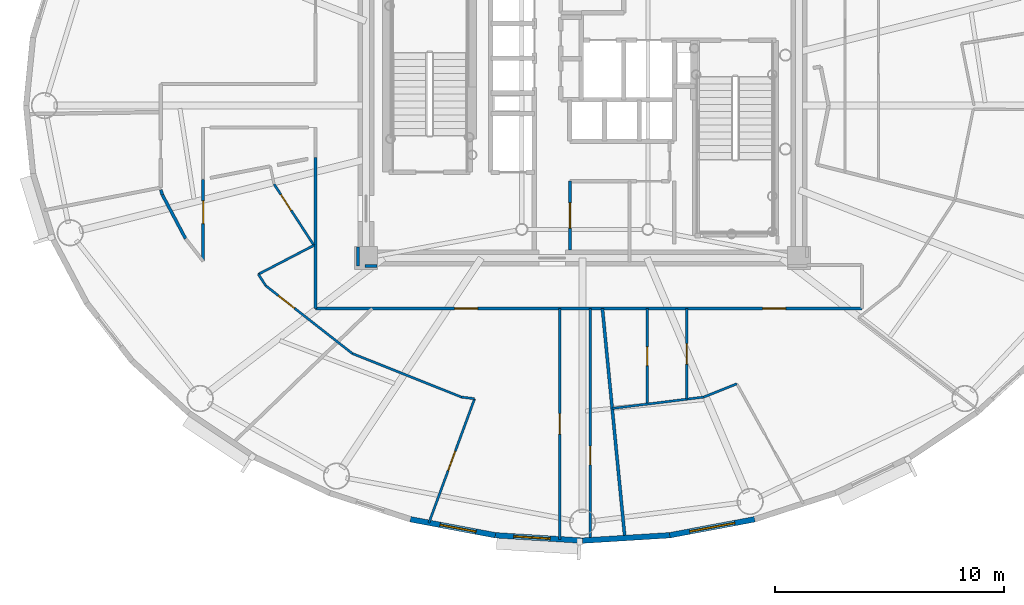
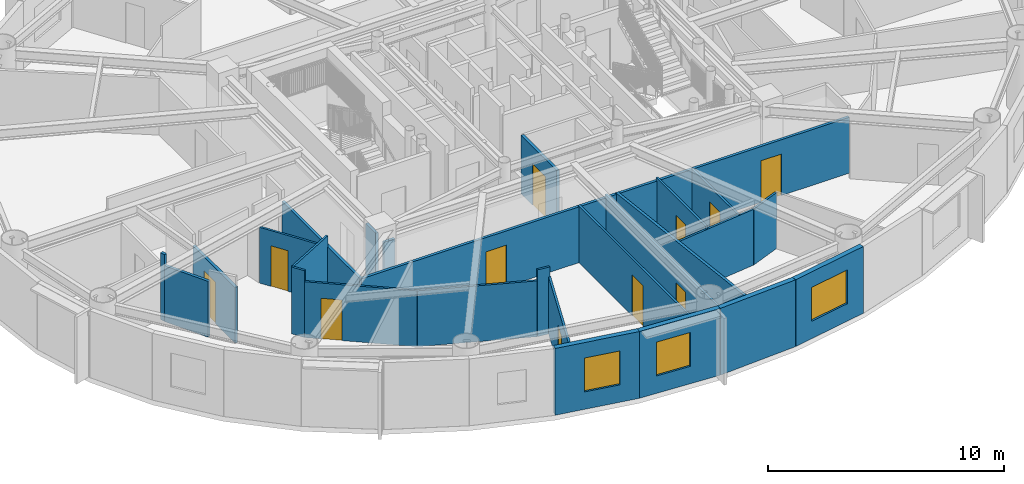
# One storey, part 7 of 18: 26 walls, 11 doors, 3 windows, 14 openings.
"""IFC4 building model written with IfcOpenShell, lengths in metres."""

from ifc_helpers import new_model, si_unit, direction, frame, frame_2d, origin, origin_2d, place, context, subcontext, project, spatial, rectangle, extrude, source, transform, mapped, material, layer, layer_set, type_object, element, fill, save


model = new_model("IFC4")

# Units and contexts
model_context = context("Model", 3, precision=1e-05, world=origin(), true_north=direction((0.0, 1.0)))
body_context = subcontext(model_context, "Body", "Model", "MODEL_VIEW")
ifc_project = project(units=[si_unit("LENGTHUNIT", "METRE"), si_unit("AREAUNIT", "SQUARE_METRE"), si_unit("VOLUMEUNIT", "CUBIC_METRE"), si_unit("PLANEANGLEUNIT", "RADIAN"), si_unit("MASSUNIT", "GRAM", prefix="KILO")], contexts=[model_context])

# Site, building, storey
site_placement = place(None, origin())
site = spatial("IfcSite", under=ifc_project, at=site_placement, CompositionType="ELEMENT")
building_placement = place(site_placement, origin())
building = spatial("IfcBuilding", under=site, at=building_placement, Name="Linh Dai School and Residence Tower", CompositionType="ELEMENT")
storey_placement = place(building_placement, frame((0.0, 0.0, 259.050048828125)))
storey = spatial("IfcBuildingStorey", under=building, at=storey_placement, Name="L64", CompositionType="ELEMENT", Elevation=259.050048828125)

# Wall, opening, window
ifc_material_1 = material(Name="Precast Concrete B45 (C35/45)", Category="concrete")
ifc_layer_1 = layer(ifc_material_1, 0.239990234375)
ifc_layer_set_1 = layer_set([ifc_layer_1], Name="Precast Concrete B45 (C35/45)")
wall_type_1 = type_object("IfcWallType", Name="EW-TC-240", PredefinedType="SOLIDWALL", material=ifc_layer_set_1)
wall_1_placement = place(storey_placement, frame((32.198486328125, 8.254150390625, 0.0), z_axis=(0.0, 0.0, 1.0), x_axis=(-0.982784898575, 0.184753465822, 0.0)))
wall_1 = element("IfcWall", 1, at=wall_1_placement, inside=storey, type_object=wall_type_1, Name="L64 Terracotta Exterior Wall 29", PredefinedType="SOLIDWALL", context=body_context, shape_type="SweptSolid", body=[
    extrude(rectangle(XDim=3.772705078125, YDim=0.239990234375, at=frame_2d((1.88623046875, 0.0))), origin(), (0.0, 0.0, 1.0), 3.449951171875),
])
opening_1_placement = place(wall_1_placement, frame((0.85888671875, 0.0, 0.89990234375)))
opening_1 = element("IfcOpeningElement", 2, at=opening_1_placement, cuts=wall_1, Name="Opening W2", PredefinedType="OPENING", context=body_context, shape_type="SweptSolid", body=[
    extrude(rectangle(XDim=1.60009765625, YDim=1.75, at=origin_2d()), frame((0.800048828125, 0.1298828125, 0.875), z_axis=(0.0, -1.0, 0.0), x_axis=(1.0, 0.0, 0.0)), (0.0, 0.0, 1.0), 0.260009765625),
])
ifc_material_2 = material(Name="Double Low-E Insulated Glazing", Category="glass")
window_type_1 = type_object("IfcWindowType", Name="WN-RES-1600x1750", PartitioningType="DOUBLE_PANEL_VERTICAL", PredefinedType="WINDOW", material=ifc_material_2)
shared_shape_1 = source(origin(), body_context, "Body", "SweptSolid", [
    extrude(rectangle(XDim=1.60009765625, YDim=1.75, at=origin_2d()), frame((0.800048828125, 0.030029296875, 0.875), z_axis=(0.0, -1.0, 0.0), x_axis=(1.0, 0.0, 0.0)), (0.0, 0.0, 1.0), 0.06005859375),
])
window_1_placement = place(opening_1_placement, origin())
window_1 = element("IfcWindow", 3, at=window_1_placement, inside=storey, type_object=window_type_1, Name="L64 Exterior Window 29.1", OverallHeight=1.75, OverallWidth=1.60009765625, PartitioningType="DOUBLE_PANEL_VERTICAL", PredefinedType="WINDOW", context=body_context, shape_type="MappedRepresentation", body=[
    mapped(shared_shape_1, transform((0.0, 0.0, 0.0), x_axis=(1.0, 0.0, 0.0), y_axis=(0.0, 1.0, 0.0), z_axis=(0.0, 0.0, 1.0), scale=1.0)),
])
fill(opening_1, window_1)

wall_2_placement = place(storey_placement, frame((36.0, 8.02001953125, 0.0), z_axis=(0.0, 0.0, 1.0), x_axis=(-0.998108785312, 0.06147237333, 0.0)))
wall_2 = element("IfcWall", 4, at=wall_2_placement, inside=storey, type_object=wall_type_1, Name="L64 Terracotta Exterior Wall 30", PredefinedType="SOLIDWALL", context=body_context, shape_type="SweptSolid", body=[
    extrude(rectangle(XDim=3.808837890625, YDim=0.239990234375, at=frame_2d((1.904296875, 0.0))), origin(), (0.0, 0.0, 1.0), 3.449951171875),
])
opening_2_placement = place(wall_2_placement, frame((1.41015625, 0.0, 0.89990234375)))
opening_2 = element("IfcOpeningElement", 5, at=opening_2_placement, cuts=wall_2, Name="Opening W2", PredefinedType="OPENING", context=body_context, shape_type="SweptSolid", body=[
    extrude(rectangle(XDim=1.60009765625, YDim=1.75, at=origin_2d()), frame((0.800048828125, 0.1298828125, 0.875), z_axis=(0.0, -1.0, 0.0), x_axis=(1.0, 0.0, 0.0)), (0.0, 0.0, 1.0), 0.260009765625),
])
window_2_placement = place(opening_2_placement, origin())
window_2 = element("IfcWindow", 6, at=window_2_placement, inside=storey, type_object=window_type_1, Name="L64 Exterior Window 30.1", OverallHeight=1.75, OverallWidth=1.60009765625, PartitioningType="DOUBLE_PANEL_VERTICAL", PredefinedType="WINDOW", context=body_context, shape_type="MappedRepresentation", body=[
    mapped(shared_shape_1, transform((0.0, 0.0, 0.0), x_axis=(1.0, 0.0, 0.0), y_axis=(0.0, 1.0, 0.0), z_axis=(0.0, 0.0, 1.0), scale=1.0)),
])
fill(opening_2, window_2)

# Wall
wall_3_placement = place(storey_placement, frame((39.801513671875, 8.254150390625, 0.0), z_axis=(0.0, 0.0, 1.0), x_axis=(-0.998108785312, -0.06147237333, 0.0)))
element("IfcWall", 7, at=wall_3_placement, inside=storey, type_object=wall_type_1, Name="L64 Terracotta Exterior Wall 31", PredefinedType="SOLIDWALL", context=body_context, shape_type="SweptSolid", body=[
    extrude(rectangle(XDim=3.808837890625, YDim=0.239990234375, at=frame_2d((1.904296875, 0.0))), origin(), (0.0, 0.0, 1.0), 3.449951171875),
])

# Wall, opening, window
wall_4_placement = place(storey_placement, frame((43.50927734375, 8.951171875, 0.0), z_axis=(0.0, 0.0, 1.0), x_axis=(-0.982784898575, -0.184753465822, 0.0)))
wall_4 = element("IfcWall", 8, at=wall_4_placement, inside=storey, type_object=wall_type_1, Name="L64 Terracotta Exterior Wall 32", PredefinedType="SOLIDWALL", context=body_context, shape_type="SweptSolid", body=[
    extrude(rectangle(XDim=3.772705078125, YDim=0.239990234375, at=frame_2d((1.88623046875, 0.0))), origin(), (0.0, 0.0, 1.0), 3.449951171875),
])
opening_3_placement = place(wall_4_placement, frame((0.88623046875, 0.0, 0.89990234375)))
opening_3 = element("IfcOpeningElement", 9, at=opening_3_placement, cuts=wall_4, Name="Opening W1", PredefinedType="OPENING", context=body_context, shape_type="SweptSolid", body=[
    extrude(rectangle(XDim=2.0, YDim=1.75, at=origin_2d()), frame((1.0, 0.1298828125, 0.875), z_axis=(0.0, -1.0, 0.0), x_axis=(1.0, 0.0, 0.0)), (0.0, 0.0, 1.0), 0.260009765625),
])
window_type_2 = type_object("IfcWindowType", Name="WN-RES-2000x1750", PartitioningType="DOUBLE_PANEL_VERTICAL", PredefinedType="WINDOW", material=ifc_material_2)
shared_shape_2 = source(origin(), body_context, "Body", "SweptSolid", [
    extrude(rectangle(XDim=2.0, YDim=1.75, at=origin_2d()), frame((1.0, 0.030029296875, 0.875), z_axis=(0.0, -1.0, 0.0), x_axis=(1.0, 0.0, 0.0)), (0.0, 0.0, 1.0), 0.06005859375),
])
window_3_placement = place(opening_3_placement, origin())
window_3 = element("IfcWindow", 10, at=window_3_placement, inside=storey, type_object=window_type_2, Name="L64 Exterior Window 32.1", OverallHeight=1.75, OverallWidth=2.0, PartitioningType="DOUBLE_PANEL_VERTICAL", PredefinedType="WINDOW", context=body_context, shape_type="MappedRepresentation", body=[
    mapped(shared_shape_2, transform((0.0, 0.0, 0.0), x_axis=(1.0, 0.0, 0.0), y_axis=(0.0, 1.0, 0.0), z_axis=(0.0, 0.0, 1.0), scale=1.0)),
])
fill(opening_3, window_3)

# Walls
ifc_material_3 = material(Name="Autoclaved Aerated Concrete Blockwork", Category="masonry")
ifc_layer_2 = layer(ifc_material_3, 0.135009765625)
ifc_layer_set_2 = layer_set([ifc_layer_2], Name="Autoclaved Aerated Concrete Blockwork")
wall_type_2 = type_object("IfcWallType", Name="IW-CORR-135-EI90", PredefinedType="PARTITIONING", material=ifc_layer_set_2)
wall_5_placement = place(storey_placement, frame((17.60009765625, 23.327880859375, 0.0), z_axis=(0.0, 0.0, 1.0), x_axis=(0.292875000845, -0.956150738053, 0.0)))
element("IfcWall", 11, at=wall_5_placement, inside=storey, type_object=wall_type_2, Name="L64 Interior Partition Wall 003", PredefinedType="PARTITIONING", context=body_context, shape_type="SweptSolid", body=[
    extrude(rectangle(XDim=0.226806640625, YDim=0.135009765625, at=frame_2d((0.11328125, 0.0))), origin(), (0.0, 0.0, 1.0), 3.449951171875),
])
wall_6_placement = place(storey_placement, frame((17.66650390625, 23.111083984375, 0.0), z_axis=(0.0, 0.0, 1.0), x_axis=(0.467675622269, -0.883900171024, 0.0)))
element("IfcWall", 12, at=wall_6_placement, inside=storey, type_object=wall_type_2, Name="L64 Interior Partition Wall 006", PredefinedType="PARTITIONING", context=body_context, shape_type="SweptSolid", body=[
    extrude(rectangle(XDim=2.16845703125, YDim=0.135009765625, at=frame_2d((1.084228515625, 0.0))), origin(), (0.0, 0.0, 1.0), 2.885009765625),
])

# Wall, opening, door
wall_7_placement = place(storey_placement, frame((19.449951171875, 20.211181640625, 0.0), z_axis=(0.0, 0.0, 1.0), x_axis=(0.0, 1.0, 0.0)))
wall_7 = element("IfcWall", 13, at=wall_7_placement, inside=storey, type_object=wall_type_2, Name="L64 Interior Partition Wall 009", PredefinedType="PARTITIONING", context=body_context, shape_type="SweptSolid", body=[
    extrude(rectangle(XDim=3.57177734375, YDim=0.135009765625, at=frame_2d((1.785888671875, 0.0))), origin(), (0.0, 0.0, 1.0), 2.885009765625),
])
opening_4_placement = place(wall_7_placement, frame((1.6357421875, 0.0, 0.0)))
opening_4 = element("IfcOpeningElement", 14, at=opening_4_placement, cuts=wall_7, Name="Opening D03", PredefinedType="OPENING", context=body_context, shape_type="SweptSolid", body=[
    extrude(rectangle(XDim=1.0, YDim=2.14990234375, at=origin_2d()), frame((0.5, 0.07763671875, 1.074951171875), z_axis=(0.0, -1.0, 0.0), x_axis=(1.0, 0.0, 0.0)), (0.0, 0.0, 1.0), 0.155029296875),
])
ifc_material_4 = material(Name="Fire-Rated Solid Timber Entrance Door", Category="wood")
door_type_1 = type_object("IfcDoorType", Name="DR-FLAT-1000x2150-FD60S", OperationType="NOTDEFINED", PredefinedType="DOOR", material=ifc_material_4)
shared_shape_3 = source(origin(), body_context, "Body", "SweptSolid", [
    extrude(rectangle(XDim=1.0, YDim=2.14990234375, at=origin_2d()), frame((0.5, 0.02490234375, 1.074951171875), z_axis=(0.0, -1.0, 0.0), x_axis=(1.0, 0.0, 0.0)), (0.0, 0.0, 1.0), 0.050048828125),
])
door_1_placement = place(opening_4_placement, origin())
door_1 = element("IfcDoor", 15, at=door_1_placement, inside=storey, type_object=door_type_1, Name="L64 U6401 Apartment Entrance Door", OperationType="SINGLE_SWING_LEFT", OverallHeight=2.14990234375, OverallWidth=1.0, PredefinedType="DOOR", context=body_context, shape_type="MappedRepresentation", body=[
    mapped(shared_shape_3, transform((0.0, 0.0, 0.0), x_axis=(1.0, 0.0, 0.0), y_axis=(0.0, 1.0, 0.0), z_axis=(0.0, 0.0, 1.0), scale=1.0)),
])
fill(opening_4, door_1)

# Wall
wall_8_placement = place(storey_placement, frame((24.35009765625, 18.14990234375, 0.0), z_axis=(0.0, 0.0, 1.0), x_axis=(0.0, 1.0, 0.0)))
element("IfcWall", 16, at=wall_8_placement, inside=storey, type_object=wall_type_2, Name="L64 Interior Partition Wall 017", PredefinedType="PARTITIONING", context=body_context, shape_type="SweptSolid", body=[
    extrude(rectangle(XDim=6.58544921875, YDim=0.135009765625, at=frame_2d((3.292724609375, 0.0))), origin(), (0.0, 0.0, 1.0), 2.885009765625),
])

# Wall, openings, doors
wall_9_placement = place(storey_placement, frame((24.35009765625, 18.14990234375, 0.0), z_axis=(0.0, 0.0, 1.0), x_axis=(1.0, 0.0, 0.0)))
wall_9 = element("IfcWall", 17, at=wall_9_placement, inside=storey, type_object=wall_type_2, Name="L64 Interior Partition Wall 018", PredefinedType="PARTITIONING", context=body_context, shape_type="SweptSolid", body=[
    extrude(rectangle(XDim=23.849853515625, YDim=0.135009765625, at=frame_2d((11.9248046875, 0.0))), origin(), (0.0, 0.0, 1.0), 2.885009765625),
])
opening_5_placement = place(wall_9_placement, frame((6.0693359375, 0.0, 0.0)))
opening_5 = element("IfcOpeningElement", 18, at=opening_5_placement, cuts=wall_9, Name="Opening D03", PredefinedType="OPENING", context=body_context, shape_type="SweptSolid", body=[
    extrude(rectangle(XDim=1.0, YDim=2.14990234375, at=origin_2d()), frame((0.5, 0.07763671875, 1.074951171875), z_axis=(0.0, -1.0, 0.0), x_axis=(1.0, 0.0, 0.0)), (0.0, 0.0, 1.0), 0.155029296875),
])
opening_6_placement = place(wall_9_placement, frame((19.5048828125, 0.0, 0.0)))
opening_6 = element("IfcOpeningElement", 19, at=opening_6_placement, cuts=wall_9, Name="Opening D03", PredefinedType="OPENING", context=body_context, shape_type="SweptSolid", body=[
    extrude(rectangle(XDim=1.0, YDim=2.14990234375, at=origin_2d()), frame((0.5, 0.07763671875, 1.074951171875), z_axis=(0.0, -1.0, 0.0), x_axis=(1.0, 0.0, 0.0)), (0.0, 0.0, 1.0), 0.155029296875),
])
door_2_placement = place(opening_5_placement, origin())
door_2 = element("IfcDoor", 20, at=door_2_placement, inside=storey, type_object=door_type_1, Name="L64 U6402 Apartment Entrance Door", OperationType="SINGLE_SWING_RIGHT", OverallHeight=2.14990234375, OverallWidth=1.0, PredefinedType="DOOR", context=body_context, shape_type="MappedRepresentation", body=[
    mapped(shared_shape_3, transform((0.0, 0.0, 0.0), x_axis=(1.0, 0.0, 0.0), y_axis=(0.0, 1.0, 0.0), z_axis=(0.0, 0.0, 1.0), scale=1.0)),
])
fill(opening_5, door_2)
door_3_placement = place(opening_6_placement, origin())
door_3 = element("IfcDoor", 21, at=door_3_placement, inside=storey, type_object=door_type_1, Name="L64 U6403 Apartment Entrance Door", OperationType="SINGLE_SWING_RIGHT", OverallHeight=2.14990234375, OverallWidth=1.0, PredefinedType="DOOR", context=body_context, shape_type="MappedRepresentation", body=[
    mapped(shared_shape_3, transform((0.0, 0.0, 0.0), x_axis=(1.0, 0.0, 0.0), y_axis=(0.0, 1.0, 0.0), z_axis=(0.0, 0.0, 1.0), scale=1.0)),
])
fill(opening_6, door_3)

# Wall, opening, door
wall_10_placement = place(storey_placement, frame((35.449951171875, 20.699951171875, 0.0), z_axis=(0.0, 0.0, 1.0), x_axis=(0.0, 1.0, 0.0)))
wall_10 = element("IfcWall", 22, at=wall_10_placement, inside=storey, type_object=wall_type_2, Name="L64 Interior Partition Wall 045", PredefinedType="PARTITIONING", context=body_context, shape_type="SweptSolid", body=[
    extrude(rectangle(XDim=3.0, YDim=0.135009765625, at=frame_2d((1.5, 0.0))), origin(), (0.0, 0.0, 1.0), 3.034912109375),
])
opening_7_placement = place(wall_10_placement, frame((0.949951171875, 0.0, 0.0)))
opening_7 = element("IfcOpeningElement", 23, at=opening_7_placement, cuts=wall_10, Name="Opening D07", PredefinedType="OPENING", context=body_context, shape_type="SweptSolid", body=[
    extrude(rectangle(XDim=1.10009765625, YDim=2.14990234375, at=origin_2d()), frame((0.550048828125, 0.07763671875, 1.074951171875), z_axis=(0.0, -1.0, 0.0), x_axis=(1.0, 0.0, 0.0)), (0.0, 0.0, 1.0), 0.155029296875),
])
ifc_material_5 = material(Name="Fire-Rated Louvred Steel Plant Door", Category="steel")
door_type_2 = type_object("IfcDoorType", Name="DR-PLT-1100x2150-FD60S", OperationType="NOTDEFINED", PredefinedType="DOOR", material=ifc_material_5)
shared_shape_4 = source(origin(), body_context, "Body", "SweptSolid", [
    extrude(rectangle(XDim=1.10009765625, YDim=2.14990234375, at=origin_2d()), frame((0.550048828125, 0.02490234375, 1.074951171875), z_axis=(0.0, -1.0, 0.0), x_axis=(1.0, 0.0, 0.0)), (0.0, 0.0, 1.0), 0.050048828125),
])
door_4_placement = place(opening_7_placement, origin())
door_4 = element("IfcDoor", 24, at=door_4_placement, inside=storey, type_object=door_type_2, Name="L64 Floor Electrical Switchroom Door", OperationType="SINGLE_SWING_LEFT", OverallHeight=2.14990234375, OverallWidth=1.10009765625, PredefinedType="DOOR", context=body_context, shape_type="MappedRepresentation", body=[
    mapped(shared_shape_4, transform((0.0, 0.0, 0.0), x_axis=(1.0, 0.0, 0.0), y_axis=(0.0, 1.0, 0.0), z_axis=(0.0, 0.0, 1.0), scale=1.0)),
])
fill(opening_7, door_4)

# Walls
wall_11_placement = place(storey_placement, frame((36.86669921875, 18.14990234375, 0.0), z_axis=(0.0, 0.0, 1.0), x_axis=(0.097472533874, -0.995238215273, 0.0)))
element("IfcWall", 25, at=wall_11_placement, inside=storey, type_object=wall_type_2, Name="L64 Interior Partition Wall 054", PredefinedType="PARTITIONING", context=body_context, shape_type="SweptSolid", body=[
    extrude(rectangle(XDim=10.06884765625, YDim=0.135009765625, at=frame_2d((5.034423828125, 0.0))), origin(), (0.0, 0.0, 1.0), 2.93505859375),
])
wall_12_placement = place(storey_placement, frame((26.199951171875, 20.840087890625, 0.0), z_axis=(0.0, 0.0, 1.0), x_axis=(0.0, -1.0, 0.0)))
element("IfcWall", 26, at=wall_12_placement, inside=storey, type_object=wall_type_2, Name="L64 Interior Partition Wall 101", PredefinedType="PARTITIONING", context=body_context, shape_type="SweptSolid", body=[
    extrude(rectangle(XDim=0.840087890625, YDim=0.135009765625, at=frame_2d((0.419921875, 0.0))), origin(), (0.0, 0.0, 1.0), 3.449951171875),
])
wall_13_placement = place(storey_placement, frame((26.507568359375, 20.0, 0.0), z_axis=(0.0, 0.0, 1.0), x_axis=(1.0, 0.0, 0.0)))
element("IfcWall", 27, at=wall_13_placement, inside=storey, type_object=wall_type_2, Name="L64 Interior Partition Wall 102", PredefinedType="PARTITIONING", context=body_context, shape_type="SweptSolid", body=[
    extrude(rectangle(XDim=0.532470703125, YDim=0.135009765625, at=frame_2d((0.26611328125, 0.0))), origin(), (0.0, 0.0, 1.0), 2.885009765625),
])
ifc_material_6 = material(Name="Gypsum Plasterboard Acoustic Stud Partition", Category="masonry")
ifc_layer_3 = layer(ifc_material_6, 0.10009765625)
ifc_layer_set_3 = layer_set([ifc_layer_3], Name="Gypsum Plasterboard Acoustic Stud Partition")
wall_type_3 = type_object("IfcWallType", Name="IW-UNIT-100", PredefinedType="PARTITIONING", material=ifc_layer_set_3)
wall_14_placement = place(storey_placement, frame((21.855712890625, 19.640625, 0.0), z_axis=(0.0, 0.0, 1.0), x_axis=(0.545246536912, -0.838275738636, 0.0)))
element("IfcWall", 28, at=wall_14_placement, inside=storey, type_object=wall_type_3, Name="L64 Interior Partition Wall 011", PredefinedType="PARTITIONING", context=body_context, shape_type="SweptSolid", body=[
    extrude(rectangle(XDim=0.59814453125, YDim=0.10009765625, at=frame_2d((0.299072265625, 0.0))), origin(), (0.0, 0.0, 1.0), 3.449951171875),
])
wall_15_placement = place(storey_placement, frame((21.855712890625, 19.640625, 0.0), z_axis=(0.0, 0.0, 1.0), x_axis=(0.887130502634, 0.461518657582, 0.0)))
element("IfcWall", 29, at=wall_15_placement, inside=storey, type_object=wall_type_3, Name="L64 Interior Partition Wall 012", PredefinedType="PARTITIONING", context=body_context, shape_type="SweptSolid", body=[
    extrude(rectangle(XDim=2.7333984375, YDim=0.10009765625, at=frame_2d((1.36669921875, 0.0))), origin(), (0.0, 0.0, 1.0), 3.449951171875),
])

# Wall, opening, door
wall_16_placement = place(storey_placement, frame((22.181884765625, 19.13916015625, 0.0), z_axis=(0.0, 0.0, 1.0), x_axis=(0.787386902975, -0.616459134917, 0.0)))
wall_16 = element("IfcWall", 30, at=wall_16_placement, inside=storey, type_object=wall_type_3, Name="L64 Interior Partition Wall 013", PredefinedType="PARTITIONING", context=body_context, shape_type="SweptSolid", body=[
    extrude(rectangle(XDim=4.799072265625, YDim=0.10009765625, at=frame_2d((2.3994140625, 0.0))), origin(), (0.0, 0.0, 1.0), 2.885009765625),
])
opening_8_placement = place(wall_16_placement, frame((0.6953125, 0.0, 0.0)))
opening_8 = element("IfcOpeningElement", 31, at=opening_8_placement, cuts=wall_16, Name="Opening D05", PredefinedType="OPENING", context=body_context, shape_type="SweptSolid", body=[
    extrude(rectangle(XDim=0.89990234375, YDim=2.10009765625, at=origin_2d()), frame((0.449951171875, 0.06005859375, 1.050048828125), z_axis=(0.0, -1.0, 0.0), x_axis=(1.0, 0.0, 0.0)), (0.0, 0.0, 1.0), 0.1201171875),
])
ifc_material_7 = material(Name="Engineered Timber Internal Door", Category="wood")
door_type_3 = type_object("IfcDoorType", Name="DR-INT-900x2100", OperationType="NOTDEFINED", PredefinedType="DOOR", material=ifc_material_7)
shared_shape_5 = source(origin(), body_context, "Body", "SweptSolid", [
    extrude(rectangle(XDim=0.89990234375, YDim=2.10009765625, at=origin_2d()), frame((0.449951171875, 0.02490234375, 1.050048828125), z_axis=(0.0, -1.0, 0.0), x_axis=(1.0, 0.0, 0.0)), (0.0, 0.0, 1.0), 0.050048828125),
])
door_5_placement = place(opening_8_placement, origin())
door_5 = element("IfcDoor", 32, at=door_5_placement, inside=storey, type_object=door_type_3, Name="L64 Apartment U6401 Kitchen Door", OperationType="SINGLE_SWING_LEFT", OverallHeight=2.10009765625, OverallWidth=0.89990234375, PredefinedType="DOOR", context=body_context, shape_type="MappedRepresentation", body=[
    mapped(shared_shape_5, transform((0.0, 0.0, 0.0), x_axis=(1.0, 0.0, 0.0), y_axis=(0.0, 1.0, 0.0), z_axis=(0.0, 0.0, 1.0), scale=1.0)),
])
fill(opening_8, door_5)

wall_17_placement = place(storey_placement, frame((22.540771484375, 23.575927734375, 0.0), z_axis=(0.0, 0.0, 1.0), x_axis=(0.545375666154, -0.838191733893, 0.0)))
wall_17 = element("IfcWall", 33, at=wall_17_placement, inside=storey, type_object=wall_type_3, Name="L64 Interior Partition Wall 015", PredefinedType="PARTITIONING", context=body_context, shape_type="SweptSolid", body=[
    extrude(rectangle(XDim=3.18994140625, YDim=0.10009765625, at=frame_2d((1.594970703125, 0.0))), origin(), (0.0, 0.0, 1.0), 2.885009765625),
])
opening_9_placement = place(wall_17_placement, frame((0.5458984375, 0.0, 0.0)))
opening_9 = element("IfcOpeningElement", 34, at=opening_9_placement, cuts=wall_17, Name="Opening D06", PredefinedType="OPENING", context=body_context, shape_type="SweptSolid", body=[
    extrude(rectangle(XDim=0.820068359375, YDim=2.10009765625, at=origin_2d()), frame((0.41015625, 0.06005859375, 1.050048828125), z_axis=(0.0, -1.0, 0.0), x_axis=(1.0, 0.0, 0.0)), (0.0, 0.0, 1.0), 0.1201171875),
])
ifc_material_8 = material(Name="Moisture-Resistant Timber Bathroom Door", Category="wood")
door_type_4 = type_object("IfcDoorType", Name="DR-WET-820x2100", OperationType="NOTDEFINED", PredefinedType="DOOR", material=ifc_material_8)
shared_shape_6 = source(origin(), body_context, "Body", "SweptSolid", [
    extrude(rectangle(XDim=0.820068359375, YDim=2.10009765625, at=origin_2d()), frame((0.41015625, 0.02490234375, 1.050048828125), z_axis=(0.0, -1.0, 0.0), x_axis=(1.0, 0.0, 0.0)), (0.0, 0.0, 1.0), 0.050048828125),
])
door_6_placement = place(opening_9_placement, origin())
door_6 = element("IfcDoor", 35, at=door_6_placement, inside=storey, type_object=door_type_4, Name="L64 Apartment U6401 Bathroom Door", OperationType="SINGLE_SWING_RIGHT", OverallHeight=2.10009765625, OverallWidth=0.820068359375, PredefinedType="DOOR", context=body_context, shape_type="MappedRepresentation", body=[
    mapped(shared_shape_6, transform((0.0, 0.0, 0.0), x_axis=(1.0, 0.0, 0.0), y_axis=(0.0, 1.0, 0.0), z_axis=(0.0, 0.0, 1.0), scale=1.0)),
])
fill(opening_9, door_6)

# Wall
wall_18_placement = place(storey_placement, frame((25.960693359375, 16.1806640625, 0.0), z_axis=(0.0, 0.0, 1.0), x_axis=(0.928801505367, -0.370577608105, 0.0)))
element("IfcWall", 36, at=wall_18_placement, inside=storey, type_object=wall_type_3, Name="L64 Interior Partition Wall 022", PredefinedType="PARTITIONING", context=body_context, shape_type="SweptSolid", body=[
    extrude(rectangle(XDim=5.126220703125, YDim=0.10009765625, at=frame_2d((2.56298828125, 0.0))), origin(), (0.0, 0.0, 1.0), 2.885009765625),
])

# Wall, opening, door
wall_19_placement = place(storey_placement, frame((29.29638671875, 8.794677734375, 0.0), z_axis=(0.0, 0.0, 1.0), x_axis=(0.345568130342, 0.938393663284, 0.0)))
wall_19 = element("IfcWall", 37, at=wall_19_placement, inside=storey, type_object=wall_type_3, Name="L64 Interior Partition Wall 026", PredefinedType="PARTITIONING", context=body_context, shape_type="SweptSolid", body=[
    extrude(rectangle(XDim=5.771240234375, YDim=0.10009765625, at=frame_2d((2.8857421875, 0.0))), origin(), (0.0, 0.0, 1.0), 2.93505859375),
])
opening_10_placement = place(wall_19_placement, frame((2.435791015625, 0.0, 0.0)))
opening_10 = element("IfcOpeningElement", 38, at=opening_10_placement, cuts=wall_19, Name="Opening D05", PredefinedType="OPENING", context=body_context, shape_type="SweptSolid", body=[
    extrude(rectangle(XDim=0.89990234375, YDim=2.10009765625, at=origin_2d()), frame((0.449951171875, 0.06005859375, 1.050048828125), z_axis=(0.0, -1.0, 0.0), x_axis=(1.0, 0.0, 0.0)), (0.0, 0.0, 1.0), 0.1201171875),
])
door_7_placement = place(opening_10_placement, origin())
door_7 = element("IfcDoor", 39, at=door_7_placement, inside=storey, type_object=door_type_3, Name="L64 Apartment U6402 Principal Bedroom 1 Door", OperationType="SINGLE_SWING_LEFT", OverallHeight=2.10009765625, OverallWidth=0.89990234375, PredefinedType="DOOR", context=body_context, shape_type="MappedRepresentation", body=[
    mapped(shared_shape_5, transform((0.0, 0.0, 0.0), x_axis=(1.0, 0.0, 0.0), y_axis=(0.0, 1.0, 0.0), z_axis=(0.0, 0.0, 1.0), scale=1.0)),
])
fill(opening_10, door_7)

# Wall
wall_20_placement = place(storey_placement, frame((30.721923828125, 14.281005859375, 0.0), z_axis=(0.0, 0.0, 1.0), x_axis=(0.992395375367, -0.123091100206, 0.0)))
element("IfcWall", 40, at=wall_20_placement, inside=storey, type_object=wall_type_3, Name="L64 Interior Partition Wall 027", PredefinedType="PARTITIONING", context=body_context, shape_type="SweptSolid", body=[
    extrude(rectangle(XDim=0.5732421875, YDim=0.10009765625, at=frame_2d((0.28662109375, 0.0))), origin(), (0.0, 0.0, 1.0), 3.449951171875),
])

# Wall, opening, door
wall_21_placement = place(storey_placement, frame((35.010498046875, 8.075927734375, 0.0), z_axis=(0.0, 0.0, 1.0), x_axis=(0.0, 1.0, 0.0)))
wall_21 = element("IfcWall", 41, at=wall_21_placement, inside=storey, type_object=wall_type_3, Name="L64 Interior Partition Wall 038", PredefinedType="PARTITIONING", context=body_context, shape_type="SweptSolid", body=[
    extrude(rectangle(XDim=10.073974609375, YDim=0.10009765625, at=frame_2d((5.037109375, 0.0))), origin(), (0.0, 0.0, 1.0), 2.93505859375),
])
opening_11_placement = place(wall_21_placement, frame((4.5869140625, 0.0, 0.0)))
opening_11 = element("IfcOpeningElement", 42, at=opening_11_placement, cuts=wall_21, Name="Opening D05", PredefinedType="OPENING", context=body_context, shape_type="SweptSolid", body=[
    extrude(rectangle(XDim=0.89990234375, YDim=2.10009765625, at=origin_2d()), frame((0.449951171875, 0.06005859375, 1.050048828125), z_axis=(0.0, -1.0, 0.0), x_axis=(1.0, 0.0, 0.0)), (0.0, 0.0, 1.0), 0.1201171875),
])
door_8_placement = place(opening_11_placement, origin())
door_8 = element("IfcDoor", 43, at=door_8_placement, inside=storey, type_object=door_type_3, Name="L64 Apartment U6402 Kitchen Door", OperationType="SINGLE_SWING_RIGHT", OverallHeight=2.10009765625, OverallWidth=0.89990234375, PredefinedType="DOOR", context=body_context, shape_type="MappedRepresentation", body=[
    mapped(shared_shape_5, transform((0.0, 0.0, 0.0), x_axis=(1.0, 0.0, 0.0), y_axis=(0.0, 1.0, 0.0), z_axis=(0.0, 0.0, 1.0), scale=1.0)),
])
fill(opening_11, door_8)

wall_22_placement = place(storey_placement, frame((36.332763671875, 8.035400390625, 0.0), z_axis=(0.0, 0.0, 1.0), x_axis=(0.0, 1.0, 0.0)))
wall_22 = element("IfcWall", 44, at=wall_22_placement, inside=storey, type_object=wall_type_3, Name="L64 Interior Partition Wall 053", PredefinedType="PARTITIONING", context=body_context, shape_type="SweptSolid", body=[
    extrude(rectangle(XDim=10.114501953125, YDim=0.10009765625, at=frame_2d((5.05712890625, 0.0))), origin(), (0.0, 0.0, 1.0), 3.034912109375),
])
opening_12_placement = place(wall_22_placement, frame((3.2890625, 0.0, 0.0)))
opening_12 = element("IfcOpeningElement", 45, at=opening_12_placement, cuts=wall_22, Name="Opening D06", PredefinedType="OPENING", context=body_context, shape_type="SweptSolid", body=[
    extrude(rectangle(XDim=0.820068359375, YDim=2.10009765625, at=origin_2d()), frame((0.41015625, 0.06005859375, 1.050048828125), z_axis=(0.0, -1.0, 0.0), x_axis=(1.0, 0.0, 0.0)), (0.0, 0.0, 1.0), 0.1201171875),
])
door_9_placement = place(opening_12_placement, origin())
door_9 = element("IfcDoor", 46, at=door_9_placement, inside=storey, type_object=door_type_4, Name="L64 Apartment U6402 Bathroom 1 Door", OperationType="SINGLE_SWING_LEFT", OverallHeight=2.10009765625, OverallWidth=0.820068359375, PredefinedType="DOOR", context=body_context, shape_type="MappedRepresentation", body=[
    mapped(shared_shape_6, transform((0.0, 0.0, 0.0), x_axis=(1.0, 0.0, 0.0), y_axis=(0.0, 1.0, 0.0), z_axis=(0.0, 0.0, 1.0), scale=1.0)),
])
fill(opening_12, door_9)

# Wall
wall_23_placement = place(storey_placement, frame((37.2939453125, 13.786865234375, 0.0), z_axis=(0.0, 0.0, 1.0), x_axis=(0.992396239348, 0.123084134349, 0.0)))
element("IfcWall", 47, at=wall_23_placement, inside=storey, type_object=wall_type_3, Name="L64 Interior Partition Wall 056", PredefinedType="PARTITIONING", context=body_context, shape_type="SweptSolid", body=[
    extrude(rectangle(XDim=4.0146484375, YDim=0.10009765625, at=frame_2d((2.00732421875, 0.0))), origin(), (0.0, 0.0, 1.0), 2.885009765625),
])

# Wall, opening, door
wall_24_placement = place(storey_placement, frame((38.825927734375, 13.97705078125, 0.0), z_axis=(0.0, 0.0, 1.0), x_axis=(0.0, 1.0, 0.0)))
wall_24 = element("IfcWall", 48, at=wall_24_placement, inside=storey, type_object=wall_type_3, Name="L64 Interior Partition Wall 062", PredefinedType="PARTITIONING", context=body_context, shape_type="SweptSolid", body=[
    extrude(rectangle(XDim=4.1728515625, YDim=0.10009765625, at=frame_2d((2.08642578125, 0.0))), origin(), (0.0, 0.0, 1.0), 3.034912109375),
])
opening_13_placement = place(wall_24_placement, frame((1.676513671875, 0.0, 0.0)))
opening_13 = element("IfcOpeningElement", 49, at=opening_13_placement, cuts=wall_24, Name="Opening D06", PredefinedType="OPENING", context=body_context, shape_type="SweptSolid", body=[
    extrude(rectangle(XDim=0.820068359375, YDim=2.10009765625, at=origin_2d()), frame((0.41015625, 0.06005859375, 1.050048828125), z_axis=(0.0, -1.0, 0.0), x_axis=(1.0, 0.0, 0.0)), (0.0, 0.0, 1.0), 0.1201171875),
])
door_10_placement = place(opening_13_placement, origin())
door_10 = element("IfcDoor", 50, at=door_10_placement, inside=storey, type_object=door_type_4, Name="L64 Apartment U6403 Bathroom 1 Door", OperationType="SINGLE_SWING_RIGHT", OverallHeight=2.10009765625, OverallWidth=0.820068359375, PredefinedType="DOOR", context=body_context, shape_type="MappedRepresentation", body=[
    mapped(shared_shape_6, transform((0.0, 0.0, 0.0), x_axis=(1.0, 0.0, 0.0), y_axis=(0.0, 1.0, 0.0), z_axis=(0.0, 0.0, 1.0), scale=1.0)),
])
fill(opening_13, door_10)

wall_25_placement = place(storey_placement, frame((40.550048828125, 14.190673828125, 0.0), z_axis=(0.0, 0.0, 1.0), x_axis=(0.0, 1.0, 0.0)))
wall_25 = element("IfcWall", 51, at=wall_25_placement, inside=storey, type_object=wall_type_3, Name="L64 Interior Partition Wall 066", PredefinedType="PARTITIONING", context=body_context, shape_type="SweptSolid", body=[
    extrude(rectangle(XDim=3.959228515625, YDim=0.10009765625, at=frame_2d((1.9794921875, 0.0))), origin(), (0.0, 0.0, 1.0), 2.885009765625),
])
opening_14_placement = place(wall_25_placement, frame((1.529541015625, 0.0, 0.0)))
opening_14 = element("IfcOpeningElement", 52, at=opening_14_placement, cuts=wall_25, Name="Opening D05", PredefinedType="OPENING", context=body_context, shape_type="SweptSolid", body=[
    extrude(rectangle(XDim=0.89990234375, YDim=2.10009765625, at=origin_2d()), frame((0.449951171875, 0.06005859375, 1.050048828125), z_axis=(0.0, -1.0, 0.0), x_axis=(1.0, 0.0, 0.0)), (0.0, 0.0, 1.0), 0.1201171875),
])
door_11_placement = place(opening_14_placement, origin())
door_11 = element("IfcDoor", 53, at=door_11_placement, inside=storey, type_object=door_type_3, Name="L64 Apartment U6403 Kitchen Door", OperationType="SINGLE_SWING_LEFT", OverallHeight=2.10009765625, OverallWidth=0.89990234375, PredefinedType="DOOR", context=body_context, shape_type="MappedRepresentation", body=[
    mapped(shared_shape_5, transform((0.0, 0.0, 0.0), x_axis=(1.0, 0.0, 0.0), y_axis=(0.0, 1.0, 0.0), z_axis=(0.0, 0.0, 1.0), scale=1.0)),
])
fill(opening_14, door_11)

# Wall
wall_26_placement = place(storey_placement, frame((41.278076171875, 14.281005859375, 0.0), z_axis=(0.0, 0.0, 1.0), x_axis=(0.928799036151, 0.370583796792, 0.0)))
element("IfcWall", 54, at=wall_26_placement, inside=storey, type_object=wall_type_3, Name="L64 Interior Partition Wall 069", PredefinedType="PARTITIONING", context=body_context, shape_type="SweptSolid", body=[
    extrude(rectangle(XDim=1.5654296875, YDim=0.10009765625, at=frame_2d((0.78271484375, 0.0))), origin(), (0.0, 0.0, 1.0), 2.885009765625),
])

save(model, "model.ifc")
